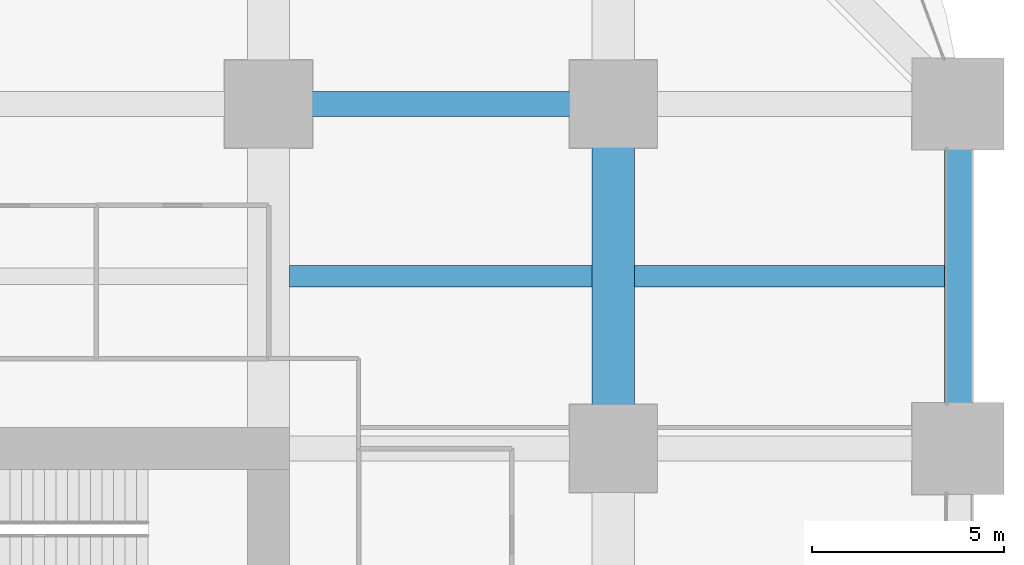
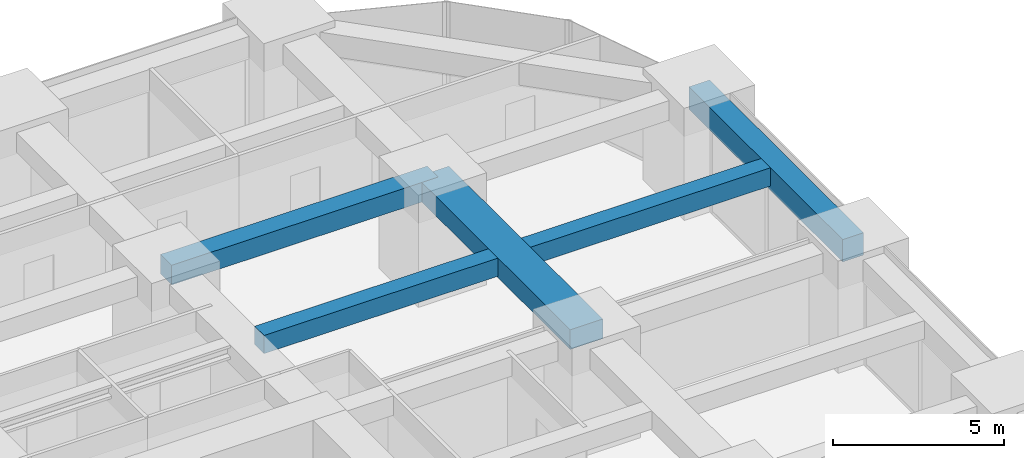
# One storey, part 33 of 44: 5 beams.
"""IFC4 building model written with IfcOpenShell, lengths in metres."""

from ifc_helpers import new_model, si_unit, direction, frame, origin, origin_2d, place, context, subcontext, project, spatial, rectangle, extrude, material, material_profile, profile_set, type_object, element, save


model = new_model("IFC4")

# Units and contexts
model_context = context("Model", 3, precision=1e-05, world=origin(), true_north=direction((0.0, 1.0)))
body_context = subcontext(model_context, "Body", "Model", "MODEL_VIEW")
ifc_project = project(units=[si_unit("LENGTHUNIT", "METRE"), si_unit("AREAUNIT", "SQUARE_METRE"), si_unit("VOLUMEUNIT", "CUBIC_METRE"), si_unit("PLANEANGLEUNIT", "RADIAN"), si_unit("MASSUNIT", "GRAM", prefix="KILO")], contexts=[model_context])

# Site, building, storey
site_placement = place(None, origin())
site = spatial("IfcSite", under=ifc_project, at=site_placement, CompositionType="ELEMENT")
building_placement = place(site_placement, origin())
building = spatial("IfcBuilding", under=site, at=building_placement, Name="Zorevar Civic Tower", CompositionType="ELEMENT")
storey_placement = place(building_placement, frame((0.0, 0.0, 43.800048828125)))
storey = spatial("IfcBuildingStorey", under=building, at=storey_placement, Name="L10", CompositionType="ELEMENT", Elevation=43.800048828125)

# Beams
ifc_material_1 = material(Name="Concrete C50/60", Category="concrete")
ifc_material_profile_1 = material_profile(ifc_material_1, rectangle(XDim=1.10009765625, YDim=0.699951171875, at=origin_2d()), Name="RC 1100x700")
ifc_profile_set_1 = profile_set([ifc_material_profile_1], Name="Concrete C50/60")
beam_type_1 = type_object("IfcBeamType", Name="Beam RC 1100x700", PredefinedType="BEAM", material=ifc_profile_set_1)
beam_1_placement = place(storey_placement, frame((54.0, 36.0, 3.39990234375), z_axis=(0.0, 1.0, 0.0), x_axis=(-1.0, 0.0, 0.0)))
element("IfcBeam", 1, at=beam_1_placement, inside=storey, type_object=beam_type_1, Name="Girder L11", PredefinedType="BEAM", context=body_context, shape_type="SweptSolid", body=[
    extrude(rectangle(XDim=1.10009765625, YDim=0.699951171875, at=origin_2d()), origin(), (0.0, 0.0, 1.0), 9.0),
])
ifc_material_2 = material(Name="Concrete C50/60", Category="concrete")
ifc_material_profile_2 = material_profile(ifc_material_2, rectangle(XDim=0.550048828125, YDim=0.64990234375, at=origin_2d()), Name="RC 550x650")
ifc_profile_set_2 = profile_set([ifc_material_profile_2], Name="Concrete C50/60")
beam_type_2 = type_object("IfcBeamType", Name="Beam RC 550x650", PredefinedType="BEAM", material=ifc_profile_set_2)
beam_2_placement = place(storey_placement, frame((45.550048828125, 40.5, 3.425048828125), z_axis=(1.0, 0.0, 0.0), x_axis=(0.0, 1.0, 0.0)))
element("IfcBeam", 2, at=beam_2_placement, inside=storey, type_object=beam_type_2, Name="Secondary beam L11", PredefinedType="BEAM", context=body_context, shape_type="SweptSolid", body=[
    extrude(rectangle(XDim=0.550048828125, YDim=0.64990234375, at=origin_2d()), origin(), (0.0, 0.0, 1.0), 7.89990234375),
])
beam_3_placement = place(storey_placement, frame((54.550048828125, 40.5, 3.425048828125), z_axis=(1.0, 0.0, 0.0), x_axis=(0.0, 1.0, 0.0)))
element("IfcBeam", 3, at=beam_3_placement, inside=storey, type_object=beam_type_2, Name="Secondary beam L11", PredefinedType="BEAM", context=body_context, shape_type="SweptSolid", body=[
    extrude(rectangle(XDim=0.550048828125, YDim=0.64990234375, at=origin_2d()), origin(), (0.0, 0.0, 1.0), 8.099853515625),
])
ifc_material_3 = material(Name="Concrete C50/60", Category="concrete")
ifc_material_profile_3 = material_profile(ifc_material_3, rectangle(XDim=0.64990234375, YDim=0.699951171875, at=origin_2d()), Name="RC 650x700")
ifc_profile_set_3 = profile_set([ifc_material_profile_3], Name="Concrete C50/60")
beam_type_3 = type_object("IfcBeamType", Name="Beam RC 650x700", PredefinedType="BEAM", material=ifc_profile_set_3)
beam_4_placement = place(storey_placement, frame((45.0, 45.0, 3.39990234375), z_axis=(1.0, 0.0, 0.0), x_axis=(0.0, 1.0, 0.0)))
element("IfcBeam", 4, at=beam_4_placement, inside=storey, type_object=beam_type_3, Name="Girder L11", PredefinedType="BEAM", context=body_context, shape_type="SweptSolid", body=[
    extrude(rectangle(XDim=0.64990234375, YDim=0.699951171875, at=origin_2d()), origin(), (0.0, 0.0, 1.0), 9.0),
])
ifc_material_4 = material(Name="Concrete C50/60", Category="concrete")
ifc_material_profile_4 = material_profile(ifc_material_4, rectangle(XDim=0.699951171875, YDim=0.800048828125, at=origin_2d()), Name="RC 700x800")
ifc_profile_set_4 = profile_set([ifc_material_profile_4], Name="Concrete C50/60")
beam_type_4 = type_object("IfcBeamType", Name="Edge beam RC 700x800", PredefinedType="SPANDREL", material=ifc_profile_set_4)
beam_5_placement = place(storey_placement, frame((63.0, 36.0, 3.349853515625), z_axis=(0.0, 1.0, 0.0), x_axis=(-1.0, 0.0, 0.0)))
element("IfcBeam", 5, at=beam_5_placement, inside=storey, type_object=beam_type_4, Name="Edge beam L11", PredefinedType="SPANDREL", context=body_context, shape_type="SweptSolid", body=[
    extrude(rectangle(XDim=0.699951171875, YDim=0.800048828125, at=origin_2d()), origin(), (0.0, 0.0, 1.0), 9.0),
])

save(model, "model.ifc")
